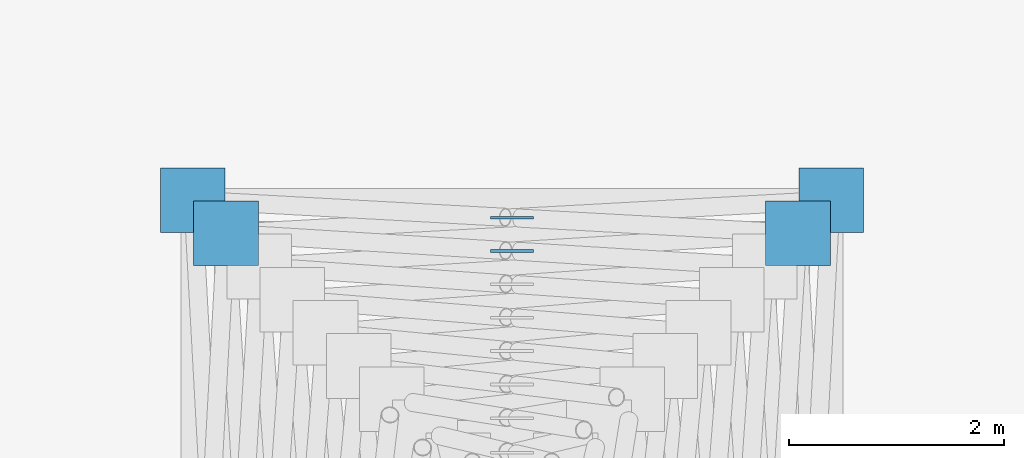
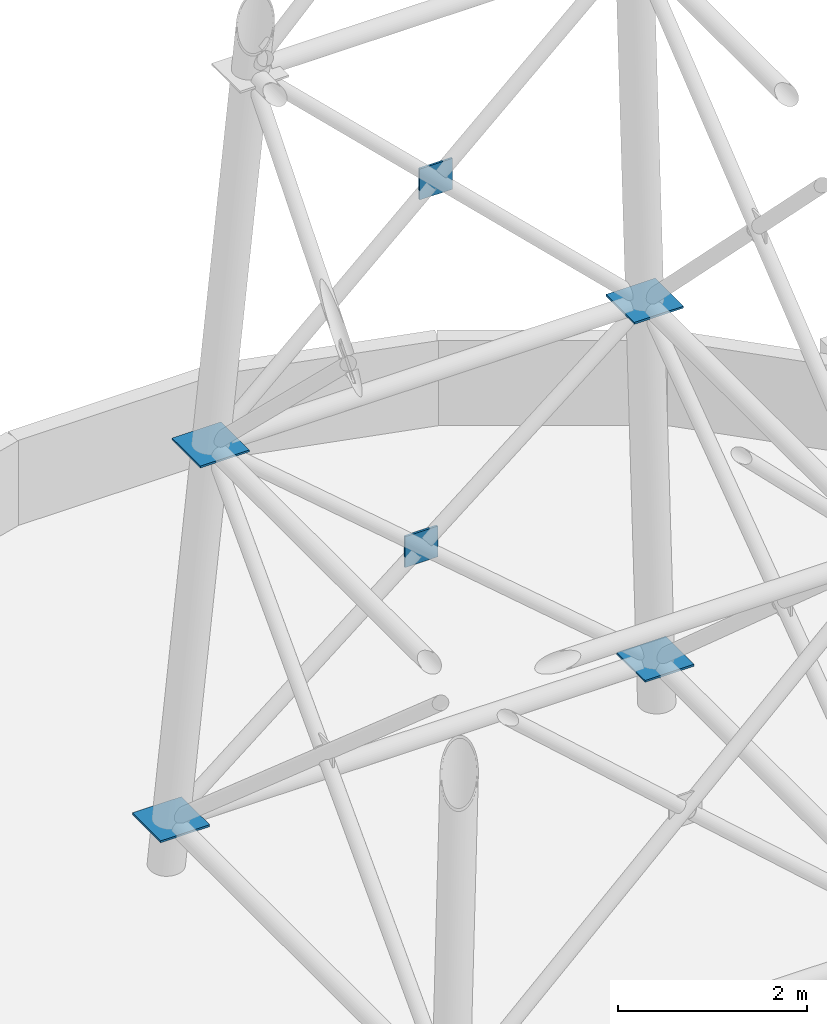
# One storey, part 6 of 6: 6 discrete accessories.
"""IFC4 building model written with IfcOpenShell, lengths in metres."""

from ifc_helpers import new_model, si_unit, direction, frame, origin, origin_2d, place, context, subcontext, project, spatial, rectangle, extrude, source, transform, mapped, material, layer, layer_set, type_object, element, save


model = new_model("IFC4")

# Units and contexts
model_context = context("Model", 3, precision=1e-05, world=origin(), true_north=direction((0.0, 1.0)))
body_context = subcontext(model_context, "Body", "Model", "MODEL_VIEW")
ifc_project = project(units=[si_unit("LENGTHUNIT", "METRE"), si_unit("AREAUNIT", "SQUARE_METRE"), si_unit("VOLUMEUNIT", "CUBIC_METRE"), si_unit("PLANEANGLEUNIT", "RADIAN"), si_unit("MASSUNIT", "GRAM", prefix="KILO")], contexts=[model_context])

# Site, building, storey
site_placement = place(None, origin())
site = spatial("IfcSite", under=ifc_project, at=site_placement, CompositionType="ELEMENT")
building_placement = place(site_placement, origin())
building = spatial("IfcBuilding", under=site, at=building_placement, Name="Kilnfold Tower and Market Hall", CompositionType="ELEMENT")
storey_placement = place(building_placement, frame((0.0, 0.0, 328.800048828125)))
storey = spatial("IfcBuildingStorey", under=building, at=storey_placement, Name="ROOF", CompositionType="ELEMENT", Elevation=328.800048828125)

# Discrete accessories
ifc_material_1 = material(Name="Steel S355", Category="steel")
ifc_layer_1 = layer(ifc_material_1, 0.02490234375)
ifc_layer_set_1 = layer_set([ifc_layer_1], Name="Steel S355")
discrete_accessory_type_1 = type_object("IfcDiscreteAccessoryType", Name="MAST CROSSING PLATE 400X25", PredefinedType="BRACKET", material=ifc_layer_set_1)
shared_shape_1 = source(origin(), body_context, "Body", "SweptSolid", [
    extrude(rectangle(XDim=0.39990234375, YDim=0.02490234375, at=origin_2d()), origin(), (0.0, 0.0, 1.0), 0.39990234375),
])
for number, where, z_axis, x_axis, name in (
    (1, (1.0, 17.80029296875, 2.997314453125), (0.0, 0.0, 1.0), (1.0, 0.0, 0.0), "Crossing plate XP1 1.3"),
    (2, (1.0, 17.4912109375, 7.939208984375), (0.0, 0.0, 1.0), (1.0, 0.0, 0.0), "Crossing plate XP1 2.3"),
):
    element("IfcDiscreteAccessory", number, at=place(storey_placement, frame(where, z_axis=z_axis, x_axis=x_axis)), inside=storey, type_object=discrete_accessory_type_1, Name=name, ObjectType="CROSSING", PredefinedType="BRACKET", context=body_context, shape_type="MappedRepresentation", body=[
        mapped(shared_shape_1, transform((0.0, 0.0, 0.0))),
    ])
ifc_material_2 = material(Name="Steel S355", Category="steel")
ifc_layer_2 = layer(ifc_material_2, 0.02490234375)
ifc_layer_set_2 = layer_set([ifc_layer_2], Name="Steel S355")
discrete_accessory_type_2 = type_object("IfcDiscreteAccessoryType", Name="MAST GUSSET PLATE 600X25", PredefinedType="BRACKET", material=ifc_layer_set_2)
shared_shape_2 = source(origin(), body_context, "Body", "SweptSolid", [
    extrude(rectangle(XDim=0.60009765625, YDim=0.60009765625, at=origin_2d()), origin(), (0.0, 0.0, 1.0), 0.02490234375),
])
for number, where, z_axis, x_axis, name in (
    (3, (3.96240234375, 17.96240234375, 0.58740234375), (0.0, 0.0, 1.0), (1.0, 0.0, 0.0), "Gusset plate GP1 0.3"),
    (4, (-1.96240234375, 17.96240234375, 0.58740234375), (0.0, 0.0, 1.0), (1.0, 0.0, 0.0), "Gusset plate GP1 0.4"),
    (5, (3.65478515625, 17.65478515625, 5.512451171875), (0.0, 0.0, 1.0), (1.0, 0.0, 0.0), "Gusset plate GP1 1.3"),
    (6, (-1.65478515625, 17.65478515625, 5.512451171875), (0.0, 0.0, 1.0), (1.0, 0.0, 0.0), "Gusset plate GP1 1.4"),
):
    element("IfcDiscreteAccessory", number, at=place(storey_placement, frame(where, z_axis=z_axis, x_axis=x_axis)), inside=storey, type_object=discrete_accessory_type_2, Name=name, ObjectType="GUSSET", PredefinedType="BRACKET", context=body_context, shape_type="MappedRepresentation", body=[
        mapped(shared_shape_2, transform((0.0, 0.0, 0.0))),
    ])

save(model, "model.ifc")
